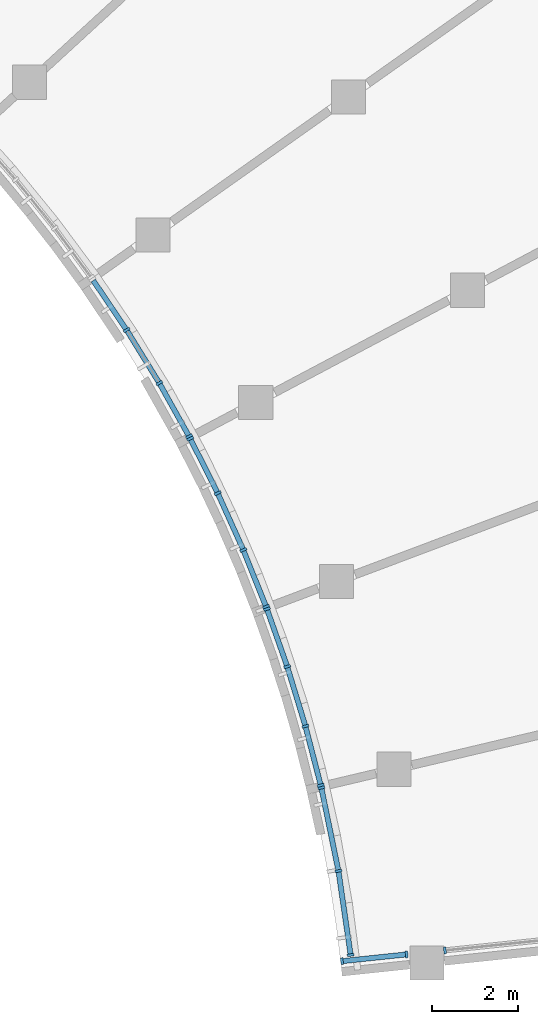
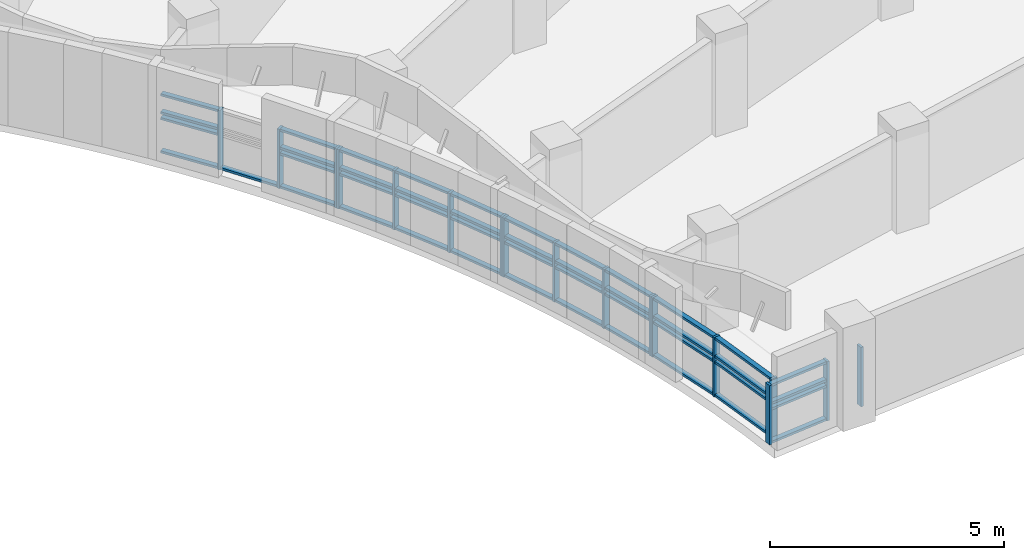
# One storey, part 6 of 89: 62 members, 6 elements without a shape of their own.
"""IFC4 building model written with IfcOpenShell, lengths in metres."""

from ifc_helpers import new_model, si_unit, direction, frame, origin, origin_2d, place, context, subcontext, project, spatial, rectangle, extrude, material, material_profile, profile_set, type_object, element, aggregate, save


model = new_model("IFC4")

# Units and contexts
model_context = context("Model", 3, precision=1e-05, world=origin(), true_north=direction((0.0, 1.0)))
body_context = subcontext(model_context, "Body", "Model", "MODEL_VIEW")
ifc_project = project(units=[si_unit("LENGTHUNIT", "METRE"), si_unit("AREAUNIT", "SQUARE_METRE"), si_unit("VOLUMEUNIT", "CUBIC_METRE"), si_unit("PLANEANGLEUNIT", "RADIAN"), si_unit("MASSUNIT", "GRAM", prefix="KILO")], contexts=[model_context])

# Site, building, storey
site_placement = place(None, origin())
site = spatial("IfcSite", under=ifc_project, at=site_placement, CompositionType="ELEMENT")
building_placement = place(site_placement, origin())
building = spatial("IfcBuilding", under=site, at=building_placement, Name="Bougainvillea Quay General Hospital", CompositionType="ELEMENT")
storey_placement = place(building_placement, frame((0.0, 0.0, 9.89990234375)))
storey = spatial("IfcBuildingStorey", under=building, at=storey_placement, Name="L01M", CompositionType="ELEMENT", Elevation=9.89990234375)

# Curtain wall, members
ifc_material_1 = material(Name="Aluminium curtain wall system, powder-coated glazed", Category="aluminium")
curtain_wall_type_1 = type_object("IfcCurtainWallType", Name="Unitised curtain wall CW-2100", PredefinedType="NOTDEFINED", material=ifc_material_1)
curtain_wall_1_placement = place(storey_placement, origin())
curtain_wall_1 = element("IfcCurtainWall", 1, at=curtain_wall_1_placement, inside=storey, type_object=curtain_wall_type_1, Name="CW-E05 a12b4", PredefinedType="NOTDEFINED")
ifc_material_2 = material(Name="Aluminium mullion, powder-coated charcoal", Category="aluminium")
ifc_material_profile_1 = material_profile(ifc_material_2, rectangle(XDim=0.159912109375, YDim=0.06005859375, at=origin_2d()))
ifc_profile_set_1 = profile_set([ifc_material_profile_1], Name="Aluminium mullion, powder-coated charcoal")
member_type_1 = type_object("IfcMemberType", Name="Curtain wall mullion 160x60", PredefinedType="MULLION", material=ifc_profile_set_1)
member_1_placement = place(storey_placement, frame((137.984619140625, 40.560791015625, 0.0), z_axis=(0.0, 0.0, 1.0), x_axis=(0.840427908607, 0.541923362141, 0.0)))
member_1 = element("IfcMember", 2, at=member_1_placement, type_object=member_type_1, Name="CW-E05 mullion 2", PredefinedType="MULLION", context=body_context, shape_type="SweptSolid", body=[
    extrude(rectangle(XDim=0.159912109375, YDim=0.06005859375, at=origin_2d()), origin(), (0.0, 0.0, 1.0), 1.550048828125),
])
member_2_placement = place(storey_placement, frame((138.747802734375, 39.31982421875, 0.0), z_axis=(0.0, 0.0, 1.0), x_axis=(0.862713792698, 0.50569250725, 0.0)))
member_2 = element("IfcMember", 3, at=member_2_placement, type_object=member_type_1, Name="CW-E05 mullion 3", PredefinedType="MULLION", context=body_context, shape_type="SweptSolid", body=[
    extrude(rectangle(XDim=0.159912109375, YDim=0.06005859375, at=origin_2d()), origin(), (0.0, 0.0, 1.0), 1.550048828125),
])
member_3_placement = place(storey_placement, frame((139.443115234375, 38.073974609375, 0.0), z_axis=(0.0, 0.0, 1.0), x_axis=(0.873273793396, 0.487229803858, 0.0)))
member_3 = element("IfcMember", 4, at=member_3_placement, type_object=member_type_1, Name="CW-E05 mullion 4", PredefinedType="MULLION", context=body_context, shape_type="SweptSolid", body=[
    extrude(rectangle(XDim=0.159912109375, YDim=0.06005859375, at=origin_2d()), origin(), (0.0, 0.0, 1.0), 1.550048828125),
])

curtain_wall_2_placement = place(storey_placement, origin())
curtain_wall_2 = element("IfcCurtainWall", 5, at=curtain_wall_2_placement, inside=storey, type_object=curtain_wall_type_1, Name="CW-E06 a12b5", PredefinedType="NOTDEFINED")
member_4_placement = place(storey_placement, frame((139.47119140625, 38.02099609375, 0.0), z_axis=(0.0, 0.0, 1.0), x_axis=(0.893204028362, 0.449651602597, 0.0)))
member_4 = element("IfcMember", 6, at=member_4_placement, type_object=member_type_1, Name="CW-E06 mullion 1", PredefinedType="MULLION", context=body_context, shape_type="SweptSolid", body=[
    extrude(rectangle(XDim=0.159912109375, YDim=0.06005859375, at=origin_2d()), origin(), (0.0, 0.0, 1.0), 1.550048828125),
])
member_5_placement = place(storey_placement, frame((140.11279296875, 36.746337890625, 0.0), z_axis=(0.0, 0.0, 1.0), x_axis=(0.902565246474, 0.430553104574, 0.0)))
member_5 = element("IfcMember", 7, at=member_5_placement, type_object=member_type_1, Name="CW-E06 mullion 2", PredefinedType="MULLION", context=body_context, shape_type="SweptSolid", body=[
    extrude(rectangle(XDim=0.159912109375, YDim=0.06005859375, at=origin_2d()), origin(), (0.0, 0.0, 1.0), 1.550048828125),
])
member_6_placement = place(storey_placement, frame((140.7119140625, 35.41845703125, 0.0), z_axis=(0.0, 0.0, 1.0), x_axis=(0.920058711526, 0.391780509145, 0.0)))
member_6 = element("IfcMember", 8, at=member_6_placement, type_object=member_type_1, Name="CW-E06 mullion 3", PredefinedType="MULLION", context=body_context, shape_type="SweptSolid", body=[
    extrude(rectangle(XDim=0.159912109375, YDim=0.06005859375, at=origin_2d()), origin(), (0.0, 0.0, 1.0), 1.550048828125),
])
member_7_placement = place(storey_placement, frame((141.242919921875, 34.093994140625, 0.0), z_axis=(0.0, 0.0, 1.0), x_axis=(0.92818304467, 0.372123951912, 0.0)))
member_7 = element("IfcMember", 9, at=member_7_placement, type_object=member_type_1, Name="CW-E06 mullion 4", PredefinedType="MULLION", context=body_context, shape_type="SweptSolid", body=[
    extrude(rectangle(XDim=0.159912109375, YDim=0.06005859375, at=origin_2d()), origin(), (0.0, 0.0, 1.0), 1.550048828125),
])

curtain_wall_3_placement = place(storey_placement, origin())
curtain_wall_3 = element("IfcCurtainWall", 10, at=curtain_wall_3_placement, inside=storey, type_object=curtain_wall_type_1, Name="CW-E07 a12b6", PredefinedType="NOTDEFINED")
member_8_placement = place(storey_placement, frame((141.26416015625, 34.037841796875, 0.0), z_axis=(0.0, 0.0, 1.0), x_axis=(0.943168537252, 0.332314775986, 0.0)))
member_8 = element("IfcMember", 11, at=member_8_placement, type_object=member_type_1, Name="CW-E07 mullion 1", PredefinedType="MULLION", context=body_context, shape_type="SweptSolid", body=[
    extrude(rectangle(XDim=0.159912109375, YDim=0.06005859375, at=origin_2d()), origin(), (0.0, 0.0, 1.0), 1.550048828125),
])
member_9_placement = place(storey_placement, frame((141.73828125, 32.692138671875, 0.0), z_axis=(0.0, 0.0, 1.0), x_axis=(0.950022917464, 0.3121801664, 0.0)))
member_9 = element("IfcMember", 12, at=member_9_placement, type_object=member_type_1, Name="CW-E07 mullion 2", PredefinedType="MULLION", context=body_context, shape_type="SweptSolid", body=[
    extrude(rectangle(XDim=0.159912109375, YDim=0.06005859375, at=origin_2d()), origin(), (0.0, 0.0, 1.0), 1.550048828125),
])
member_10_placement = place(storey_placement, frame((142.16357421875, 31.298828125, 0.0), z_axis=(0.0, 0.0, 1.0), x_axis=(0.962439443061, 0.271496442776, 0.0)))
member_10 = element("IfcMember", 13, at=member_10_placement, type_object=member_type_1, Name="CW-E07 mullion 3", PredefinedType="MULLION", context=body_context, shape_type="SweptSolid", body=[
    extrude(rectangle(XDim=0.159912109375, YDim=0.06005859375, at=origin_2d()), origin(), (0.0, 0.0, 1.0), 1.550048828125),
])
member_11_placement = place(storey_placement, frame((142.521484375, 29.91748046875, 0.0), z_axis=(0.0, 0.0, 1.0), x_axis=(0.967995971386, 0.250965733479, 0.0)))
member_11 = element("IfcMember", 14, at=member_11_placement, type_object=member_type_1, Name="CW-E07 mullion 4", PredefinedType="MULLION", context=body_context, shape_type="SweptSolid", body=[
    extrude(rectangle(XDim=0.159912109375, YDim=0.06005859375, at=origin_2d()), origin(), (0.0, 0.0, 1.0), 1.550048828125),
])

curtain_wall_4_placement = place(storey_placement, origin())
curtain_wall_4 = element("IfcCurtainWall", 15, at=curtain_wall_4_placement, inside=storey, type_object=curtain_wall_type_1, Name="CW-E08 a12b7", PredefinedType="NOTDEFINED")
member_12_placement = place(storey_placement, frame((142.53515625, 29.859130859375, 0.0), z_axis=(0.0, 0.0, 1.0), x_axis=(0.979468979674, 0.201594935096, 0.0)))
member_12 = element("IfcMember", 16, at=member_12_placement, type_object=member_type_1, Name="CW-E08 mullion 1", PredefinedType="MULLION", context=body_context, shape_type="SweptSolid", body=[
    extrude(rectangle(XDim=0.159912109375, YDim=0.06005859375, at=origin_2d()), origin(), (0.0, 0.0, 1.0), 1.550048828125),
])
member_13_placement = place(storey_placement, frame((142.935302734375, 27.914794921875, 0.0), z_axis=(0.0, 0.0, 1.0), x_axis=(0.984975544783, 0.172693879972, 0.0)))
member_13 = element("IfcMember", 17, at=member_13_placement, type_object=member_type_1, Name="CW-E08 mullion 2", PredefinedType="MULLION", context=body_context, shape_type="SweptSolid", body=[
    extrude(rectangle(XDim=0.159912109375, YDim=0.06005859375, at=origin_2d()), origin(), (0.0, 0.0, 1.0), 1.550048828125),
])
member_14_placement = place(storey_placement, frame((143.220458984375, 25.9501953125, 0.0), z_axis=(0.0, 0.0, 1.0), x_axis=(0.989629521715, 0.143643342173, 0.0)))
member_14 = element("IfcMember", 18, at=member_14_placement, type_object=member_type_1, Name="CW-E08 mullion 3", PredefinedType="MULLION", context=body_context, shape_type="SweptSolid", body=[
    extrude(rectangle(XDim=0.159912109375, YDim=0.06005859375, at=origin_2d()), origin(), (0.0, 0.0, 1.0), 1.550048828125),
])

curtain_wall_type_2 = type_object("IfcCurtainWallType", Name="Unitised curtain wall CW-1581", PredefinedType="NOTDEFINED", material=ifc_material_1)
curtain_wall_5_placement = place(storey_placement, origin())
curtain_wall_5 = element("IfcCurtainWall", 19, at=curtain_wall_5_placement, inside=storey, type_object=curtain_wall_type_2, Name="CW-AE 00", PredefinedType="NOTDEFINED")
member_15_placement = place(storey_placement, frame((143.017822265625, 25.8056640625, 0.0), z_axis=(0.0, 0.0, 1.0), x_axis=(-0.104527173765, 0.9945220309, 0.0)))
member_15 = element("IfcMember", 20, at=member_15_placement, type_object=member_type_1, Name="CW-AE mullion 1", PredefinedType="MULLION", context=body_context, shape_type="SweptSolid", body=[
    extrude(rectangle(XDim=0.159912109375, YDim=0.06005859375, at=origin_2d()), origin(), (0.0, 0.0, 1.0), 1.550048828125),
])
member_16_placement = place(storey_placement, frame((144.529541015625, 25.964599609375, 0.0), z_axis=(0.0, 0.0, 1.0), x_axis=(-0.104527173765, 0.9945220309, 0.0)))
member_16 = element("IfcMember", 21, at=member_16_placement, type_object=member_type_1, Name="CW-AE mullion 2", PredefinedType="MULLION", context=body_context, shape_type="SweptSolid", body=[
    extrude(rectangle(XDim=0.159912109375, YDim=0.06005859375, at=origin_2d()), origin(), (0.0, 0.0, 1.0), 1.550048828125),
])

# Curtain wall, member
curtain_wall_type_3 = type_object("IfcCurtainWallType", Name="Unitised curtain wall CW-2380", PredefinedType="NOTDEFINED", material=ifc_material_1)
curtain_wall_6_placement = place(storey_placement, origin())
curtain_wall_6 = element("IfcCurtainWall", 22, at=curtain_wall_6_placement, inside=storey, type_object=curtain_wall_type_3, Name="CW-AE 01", PredefinedType="NOTDEFINED")
member_17_placement = place(storey_placement, frame((145.4248046875, 26.058837890625, 0.0), z_axis=(0.0, 0.0, 1.0), x_axis=(-0.104527173765, 0.9945220309, 0.0)))
member_17 = element("IfcMember", 23, at=member_17_placement, type_object=member_type_1, Name="CW-AE mullion 1", PredefinedType="MULLION", context=body_context, shape_type="SweptSolid", body=[
    extrude(rectangle(XDim=0.159912109375, YDim=0.06005859375, at=origin_2d()), origin(), (0.0, 0.0, 1.0), 1.550048828125),
])
aggregate(curtain_wall_6, [member_17])

# Member
ifc_material_3 = material(Name="Aluminium transom, powder-coated charcoal", Category="aluminium")
ifc_material_profile_2 = material_profile(ifc_material_3, rectangle(XDim=0.1201171875, YDim=0.06005859375, at=origin_2d()))
ifc_profile_set_2 = profile_set([ifc_material_profile_2], Name="Aluminium transom, powder-coated charcoal")
member_type_2 = type_object("IfcMemberType", Name="Curtain wall transom 120x60", PredefinedType="USERDEFINED", material=ifc_profile_set_2)
member_18_placement = place(storey_placement, frame((137.202880859375, 41.718505859375, 0.030029296875), z_axis=(0.559595554462, -0.828765838718, 0.0), x_axis=(0.828765838718, 0.559595554462, 0.0)))
member_18 = element("IfcMember", 24, at=member_18_placement, type_object=member_type_2, Name="CW-E05 transom 1.1", ObjectType="TRANSOM", PredefinedType="USERDEFINED", context=body_context, shape_type="SweptSolid", body=[
    extrude(rectangle(XDim=0.1201171875, YDim=0.06005859375, at=origin_2d()), origin(), (0.0, 0.0, 1.0), 1.366943359375),
])

member_19_placement = place(storey_placement, frame((137.202880859375, 41.718505859375, 0.900146484375), z_axis=(0.559595554462, -0.828765838718, 0.0), x_axis=(0.828765838718, 0.559595554462, 0.0)))
member_19 = element("IfcMember", 25, at=member_19_placement, type_object=member_type_2, Name="CW-E05 transom 1.2", ObjectType="TRANSOM", PredefinedType="USERDEFINED", context=body_context, shape_type="SweptSolid", body=[
    extrude(rectangle(XDim=0.1201171875, YDim=0.06005859375, at=origin_2d()), origin(), (0.0, 0.0, 1.0), 1.366943359375),
])

member_20_placement = place(storey_placement, frame((137.202880859375, 41.718505859375, 1.050048828125), z_axis=(0.559595554462, -0.828765838718, 0.0), x_axis=(0.828765838718, 0.559595554462, 0.0)))
member_20 = element("IfcMember", 26, at=member_20_placement, type_object=member_type_2, Name="CW-E05 transom 1.3", ObjectType="TRANSOM", PredefinedType="USERDEFINED", context=body_context, shape_type="SweptSolid", body=[
    extrude(rectangle(XDim=0.1201171875, YDim=0.06005859375, at=origin_2d()), origin(), (0.0, 0.0, 1.0), 1.366943359375),
])

member_21_placement = place(storey_placement, frame((137.202880859375, 41.718505859375, 1.52001953125), z_axis=(0.559595554462, -0.828765838718, 0.0), x_axis=(0.828765838718, 0.559595554462, 0.0)))
member_21 = element("IfcMember", 27, at=member_21_placement, type_object=member_type_2, Name="CW-E05 transom 1.4", ObjectType="TRANSOM", PredefinedType="USERDEFINED", context=body_context, shape_type="SweptSolid", body=[
    extrude(rectangle(XDim=0.1201171875, YDim=0.06005859375, at=origin_2d()), origin(), (0.0, 0.0, 1.0), 1.366943359375),
])

member_22_placement = place(storey_placement, frame((138.000244140625, 40.535400390625, 0.030029296875), z_axis=(0.523921907365, -0.851766303034, 0.0), x_axis=(0.851766303034, 0.523921907365, 0.0)))
member_22 = element("IfcMember", 28, at=member_22_placement, type_object=member_type_2, Name="CW-E05 transom 2.1", ObjectType="TRANSOM", PredefinedType="USERDEFINED", context=body_context, shape_type="SweptSolid", body=[
    extrude(rectangle(XDim=0.1201171875, YDim=0.06005859375, at=origin_2d()), origin(), (0.0, 0.0, 1.0), 1.39697265625),
])

member_23_placement = place(storey_placement, frame((138.762451171875, 39.293701171875, 0.030029296875), z_axis=(0.487264805137, -0.873254264046, 0.0), x_axis=(0.873254264046, 0.487264805137, 0.0)))
member_23 = element("IfcMember", 29, at=member_23_placement, type_object=member_type_2, Name="CW-E05 transom 3.1", ObjectType="TRANSOM", PredefinedType="USERDEFINED", context=body_context, shape_type="SweptSolid", body=[
    extrude(rectangle(XDim=0.1201171875, YDim=0.06005859375, at=origin_2d()), origin(), (0.0, 0.0, 1.0), 1.366943359375),
])

member_24_placement = place(storey_placement, frame((138.762451171875, 39.293701171875, 0.900146484375), z_axis=(0.487264805137, -0.873254264046, 0.0), x_axis=(0.873254264046, 0.487264805137, 0.0)))
member_24 = element("IfcMember", 30, at=member_24_placement, type_object=member_type_2, Name="CW-E05 transom 3.2", ObjectType="TRANSOM", PredefinedType="USERDEFINED", context=body_context, shape_type="SweptSolid", body=[
    extrude(rectangle(XDim=0.1201171875, YDim=0.06005859375, at=origin_2d()), origin(), (0.0, 0.0, 1.0), 1.366943359375),
])

member_25_placement = place(storey_placement, frame((138.762451171875, 39.293701171875, 1.050048828125), z_axis=(0.487264805137, -0.873254264046, 0.0), x_axis=(0.873254264046, 0.487264805137, 0.0)))
member_25 = element("IfcMember", 31, at=member_25_placement, type_object=member_type_2, Name="CW-E05 transom 3.3", ObjectType="TRANSOM", PredefinedType="USERDEFINED", context=body_context, shape_type="SweptSolid", body=[
    extrude(rectangle(XDim=0.1201171875, YDim=0.06005859375, at=origin_2d()), origin(), (0.0, 0.0, 1.0), 1.366943359375),
])

member_26_placement = place(storey_placement, frame((138.762451171875, 39.293701171875, 1.52001953125), z_axis=(0.487264805137, -0.873254264046, 0.0), x_axis=(0.873254264046, 0.487264805137, 0.0)))
member_26 = element("IfcMember", 32, at=member_26_placement, type_object=member_type_2, Name="CW-E05 transom 3.4", ObjectType="TRANSOM", PredefinedType="USERDEFINED", context=body_context, shape_type="SweptSolid", body=[
    extrude(rectangle(XDim=0.1201171875, YDim=0.06005859375, at=origin_2d()), origin(), (0.0, 0.0, 1.0), 1.366943359375),
])

aggregate(curtain_wall_1, [member_1, member_2, member_3, member_18, member_19, member_20, member_21, member_22, member_23, member_24, member_25, member_26])

member_27_placement = place(storey_placement, frame((139.484619140625, 37.994140625, 0.030029296875), z_axis=(0.449712233761, -0.893173503193, 0.0), x_axis=(0.893173503193, 0.449712233761, 0.0)))
member_27 = element("IfcMember", 33, at=member_27_placement, type_object=member_type_2, Name="CW-E06 transom 1.1", ObjectType="TRANSOM", PredefinedType="USERDEFINED", context=body_context, shape_type="SweptSolid", body=[
    extrude(rectangle(XDim=0.1201171875, YDim=0.06005859375, at=origin_2d()), origin(), (0.0, 0.0, 1.0), 1.366943359375),
])

member_28_placement = place(storey_placement, frame((139.484619140625, 37.994140625, 0.900146484375), z_axis=(0.449712233761, -0.893173503193, 0.0), x_axis=(0.893173503193, 0.449712233761, 0.0)))
member_28 = element("IfcMember", 34, at=member_28_placement, type_object=member_type_2, Name="CW-E06 transom 1.2", ObjectType="TRANSOM", PredefinedType="USERDEFINED", context=body_context, shape_type="SweptSolid", body=[
    extrude(rectangle(XDim=0.1201171875, YDim=0.06005859375, at=origin_2d()), origin(), (0.0, 0.0, 1.0), 1.366943359375),
])

member_29_placement = place(storey_placement, frame((139.484619140625, 37.994140625, 1.050048828125), z_axis=(0.449712233761, -0.893173503193, 0.0), x_axis=(0.893173503193, 0.449712233761, 0.0)))
member_29 = element("IfcMember", 35, at=member_29_placement, type_object=member_type_2, Name="CW-E06 transom 1.3", ObjectType="TRANSOM", PredefinedType="USERDEFINED", context=body_context, shape_type="SweptSolid", body=[
    extrude(rectangle(XDim=0.1201171875, YDim=0.06005859375, at=origin_2d()), origin(), (0.0, 0.0, 1.0), 1.366943359375),
])

member_30_placement = place(storey_placement, frame((139.484619140625, 37.994140625, 1.52001953125), z_axis=(0.449712233761, -0.893173503193, 0.0), x_axis=(0.893173503193, 0.449712233761, 0.0)))
member_30 = element("IfcMember", 36, at=member_30_placement, type_object=member_type_2, Name="CW-E06 transom 1.4", ObjectType="TRANSOM", PredefinedType="USERDEFINED", context=body_context, shape_type="SweptSolid", body=[
    extrude(rectangle(XDim=0.1201171875, YDim=0.06005859375, at=origin_2d()), origin(), (0.0, 0.0, 1.0), 1.366943359375),
])

member_31_placement = place(storey_placement, frame((140.125244140625, 36.718994140625, 0.030029296875), z_axis=(0.411272928094, -0.911512248199, 0.0), x_axis=(0.911512248199, 0.411272928094, 0.0)))
member_31 = element("IfcMember", 37, at=member_31_placement, type_object=member_type_2, Name="CW-E06 transom 2.1", ObjectType="TRANSOM", PredefinedType="USERDEFINED", context=body_context, shape_type="SweptSolid", body=[
    extrude(rectangle(XDim=0.1201171875, YDim=0.06005859375, at=origin_2d()), origin(), (0.0, 0.0, 1.0), 1.396728515625),
])

member_32_placement = place(storey_placement, frame((140.125244140625, 36.718994140625, 0.900146484375), z_axis=(0.411272928094, -0.911512248199, 0.0), x_axis=(0.911512248199, 0.411272928094, 0.0)))
member_32 = element("IfcMember", 38, at=member_32_placement, type_object=member_type_2, Name="CW-E06 transom 2.2", ObjectType="TRANSOM", PredefinedType="USERDEFINED", context=body_context, shape_type="SweptSolid", body=[
    extrude(rectangle(XDim=0.1201171875, YDim=0.06005859375, at=origin_2d()), origin(), (0.0, 0.0, 1.0), 1.396728515625),
])

member_33_placement = place(storey_placement, frame((140.125244140625, 36.718994140625, 1.050048828125), z_axis=(0.411272928094, -0.911512248199, 0.0), x_axis=(0.911512248199, 0.411272928094, 0.0)))
member_33 = element("IfcMember", 39, at=member_33_placement, type_object=member_type_2, Name="CW-E06 transom 2.3", ObjectType="TRANSOM", PredefinedType="USERDEFINED", context=body_context, shape_type="SweptSolid", body=[
    extrude(rectangle(XDim=0.1201171875, YDim=0.06005859375, at=origin_2d()), origin(), (0.0, 0.0, 1.0), 1.396728515625),
])

member_34_placement = place(storey_placement, frame((140.125244140625, 36.718994140625, 1.52001953125), z_axis=(0.411272928094, -0.911512248199, 0.0), x_axis=(0.911512248199, 0.411272928094, 0.0)))
member_34 = element("IfcMember", 40, at=member_34_placement, type_object=member_type_2, Name="CW-E06 transom 2.4", ObjectType="TRANSOM", PredefinedType="USERDEFINED", context=body_context, shape_type="SweptSolid", body=[
    extrude(rectangle(XDim=0.1201171875, YDim=0.06005859375, at=origin_2d()), origin(), (0.0, 0.0, 1.0), 1.396728515625),
])

member_35_placement = place(storey_placement, frame((140.72314453125, 35.390625, 0.030029296875), z_axis=(0.37203726485, -0.92821779425, 0.0), x_axis=(0.92821779425, 0.37203726485, 0.0)))
member_35 = element("IfcMember", 41, at=member_35_placement, type_object=member_type_2, Name="CW-E06 transom 3.1", ObjectType="TRANSOM", PredefinedType="USERDEFINED", context=body_context, shape_type="SweptSolid", body=[
    extrude(rectangle(XDim=0.1201171875, YDim=0.06005859375, at=origin_2d()), origin(), (0.0, 0.0, 1.0), 1.366943359375),
])

member_36_placement = place(storey_placement, frame((140.72314453125, 35.390625, 0.900146484375), z_axis=(0.37203726485, -0.92821779425, 0.0), x_axis=(0.92821779425, 0.37203726485, 0.0)))
member_36 = element("IfcMember", 42, at=member_36_placement, type_object=member_type_2, Name="CW-E06 transom 3.2", ObjectType="TRANSOM", PredefinedType="USERDEFINED", context=body_context, shape_type="SweptSolid", body=[
    extrude(rectangle(XDim=0.1201171875, YDim=0.06005859375, at=origin_2d()), origin(), (0.0, 0.0, 1.0), 1.366943359375),
])

member_37_placement = place(storey_placement, frame((140.72314453125, 35.390625, 1.050048828125), z_axis=(0.37203726485, -0.92821779425, 0.0), x_axis=(0.92821779425, 0.37203726485, 0.0)))
member_37 = element("IfcMember", 43, at=member_37_placement, type_object=member_type_2, Name="CW-E06 transom 3.3", ObjectType="TRANSOM", PredefinedType="USERDEFINED", context=body_context, shape_type="SweptSolid", body=[
    extrude(rectangle(XDim=0.1201171875, YDim=0.06005859375, at=origin_2d()), origin(), (0.0, 0.0, 1.0), 1.366943359375),
])

member_38_placement = place(storey_placement, frame((140.72314453125, 35.390625, 1.52001953125), z_axis=(0.37203726485, -0.92821779425, 0.0), x_axis=(0.92821779425, 0.37203726485, 0.0)))
member_38 = element("IfcMember", 44, at=member_38_placement, type_object=member_type_2, Name="CW-E06 transom 3.4", ObjectType="TRANSOM", PredefinedType="USERDEFINED", context=body_context, shape_type="SweptSolid", body=[
    extrude(rectangle(XDim=0.1201171875, YDim=0.06005859375, at=origin_2d()), origin(), (0.0, 0.0, 1.0), 1.366943359375),
])

aggregate(curtain_wall_2, [member_4, member_5, member_6, member_7, member_27, member_28, member_29, member_30, member_31, member_32, member_33, member_34, member_35, member_36, member_37, member_38])

member_39_placement = place(storey_placement, frame((141.27392578125, 34.009521484375, 0.030029296875), z_axis=(0.332418322069, -0.943132047569, 0.0), x_axis=(0.943132047569, 0.332418322069, 0.0)))
member_39 = element("IfcMember", 45, at=member_39_placement, type_object=member_type_2, Name="CW-E07 transom 1.1", ObjectType="TRANSOM", PredefinedType="USERDEFINED", context=body_context, shape_type="SweptSolid", body=[
    extrude(rectangle(XDim=0.1201171875, YDim=0.06005859375, at=origin_2d()), origin(), (0.0, 0.0, 1.0), 1.36669921875),
])

member_40_placement = place(storey_placement, frame((141.27392578125, 34.009521484375, 0.900146484375), z_axis=(0.332418322069, -0.943132047569, 0.0), x_axis=(0.943132047569, 0.332418322069, 0.0)))
member_40 = element("IfcMember", 46, at=member_40_placement, type_object=member_type_2, Name="CW-E07 transom 1.2", ObjectType="TRANSOM", PredefinedType="USERDEFINED", context=body_context, shape_type="SweptSolid", body=[
    extrude(rectangle(XDim=0.1201171875, YDim=0.06005859375, at=origin_2d()), origin(), (0.0, 0.0, 1.0), 1.36669921875),
])

member_41_placement = place(storey_placement, frame((141.27392578125, 34.009521484375, 1.050048828125), z_axis=(0.332418322069, -0.943132047569, 0.0), x_axis=(0.943132047569, 0.332418322069, 0.0)))
member_41 = element("IfcMember", 47, at=member_41_placement, type_object=member_type_2, Name="CW-E07 transom 1.3", ObjectType="TRANSOM", PredefinedType="USERDEFINED", context=body_context, shape_type="SweptSolid", body=[
    extrude(rectangle(XDim=0.1201171875, YDim=0.06005859375, at=origin_2d()), origin(), (0.0, 0.0, 1.0), 1.36669921875),
])

member_42_placement = place(storey_placement, frame((141.27392578125, 34.009521484375, 1.52001953125), z_axis=(0.332418322069, -0.943132047569, 0.0), x_axis=(0.943132047569, 0.332418322069, 0.0)))
member_42 = element("IfcMember", 48, at=member_42_placement, type_object=member_type_2, Name="CW-E07 transom 1.4", ObjectType="TRANSOM", PredefinedType="USERDEFINED", context=body_context, shape_type="SweptSolid", body=[
    extrude(rectangle(XDim=0.1201171875, YDim=0.06005859375, at=origin_2d()), origin(), (0.0, 0.0, 1.0), 1.36669921875),
])

member_43_placement = place(storey_placement, frame((141.7470703125, 32.66357421875, 0.030029296875), z_axis=(0.291849999923, -0.956464101545, 0.0), x_axis=(0.956464101545, 0.291849999923, 0.0)))
member_43 = element("IfcMember", 49, at=member_43_placement, type_object=member_type_2, Name="CW-E07 transom 2.1", ObjectType="TRANSOM", PredefinedType="USERDEFINED", context=body_context, shape_type="SweptSolid", body=[
    extrude(rectangle(XDim=0.1201171875, YDim=0.06005859375, at=origin_2d()), origin(), (0.0, 0.0, 1.0), 1.39697265625),
])

member_44_placement = place(storey_placement, frame((141.7470703125, 32.66357421875, 0.900146484375), z_axis=(0.291849999923, -0.956464101545, 0.0), x_axis=(0.956464101545, 0.291849999923, 0.0)))
member_44 = element("IfcMember", 50, at=member_44_placement, type_object=member_type_2, Name="CW-E07 transom 2.2", ObjectType="TRANSOM", PredefinedType="USERDEFINED", context=body_context, shape_type="SweptSolid", body=[
    extrude(rectangle(XDim=0.1201171875, YDim=0.06005859375, at=origin_2d()), origin(), (0.0, 0.0, 1.0), 1.39697265625),
])

member_45_placement = place(storey_placement, frame((141.7470703125, 32.66357421875, 1.050048828125), z_axis=(0.291849999923, -0.956464101545, 0.0), x_axis=(0.956464101545, 0.291849999923, 0.0)))
member_45 = element("IfcMember", 51, at=member_45_placement, type_object=member_type_2, Name="CW-E07 transom 2.3", ObjectType="TRANSOM", PredefinedType="USERDEFINED", context=body_context, shape_type="SweptSolid", body=[
    extrude(rectangle(XDim=0.1201171875, YDim=0.06005859375, at=origin_2d()), origin(), (0.0, 0.0, 1.0), 1.39697265625),
])

member_46_placement = place(storey_placement, frame((141.7470703125, 32.66357421875, 1.52001953125), z_axis=(0.291849999923, -0.956464101545, 0.0), x_axis=(0.956464101545, 0.291849999923, 0.0)))
member_46 = element("IfcMember", 52, at=member_46_placement, type_object=member_type_2, Name="CW-E07 transom 2.4", ObjectType="TRANSOM", PredefinedType="USERDEFINED", context=body_context, shape_type="SweptSolid", body=[
    extrude(rectangle(XDim=0.1201171875, YDim=0.06005859375, at=origin_2d()), origin(), (0.0, 0.0, 1.0), 1.39697265625),
])

member_47_placement = place(storey_placement, frame((142.1708984375, 31.269775390625, 0.030029296875), z_axis=(0.251098509597, -0.967961537706, 0.0), x_axis=(0.967961537706, 0.251098509597, 0.0)))
member_47 = element("IfcMember", 53, at=member_47_placement, type_object=member_type_2, Name="CW-E07 transom 3.1", ObjectType="TRANSOM", PredefinedType="USERDEFINED", context=body_context, shape_type="SweptSolid", body=[
    extrude(rectangle(XDim=0.1201171875, YDim=0.06005859375, at=origin_2d()), origin(), (0.0, 0.0, 1.0), 1.366943359375),
])

member_48_placement = place(storey_placement, frame((142.1708984375, 31.269775390625, 0.900146484375), z_axis=(0.251098509597, -0.967961537706, 0.0), x_axis=(0.967961537706, 0.251098509597, 0.0)))
member_48 = element("IfcMember", 54, at=member_48_placement, type_object=member_type_2, Name="CW-E07 transom 3.2", ObjectType="TRANSOM", PredefinedType="USERDEFINED", context=body_context, shape_type="SweptSolid", body=[
    extrude(rectangle(XDim=0.1201171875, YDim=0.06005859375, at=origin_2d()), origin(), (0.0, 0.0, 1.0), 1.366943359375),
])

member_49_placement = place(storey_placement, frame((142.1708984375, 31.269775390625, 1.050048828125), z_axis=(0.251098509597, -0.967961537706, 0.0), x_axis=(0.967961537706, 0.251098509597, 0.0)))
member_49 = element("IfcMember", 55, at=member_49_placement, type_object=member_type_2, Name="CW-E07 transom 3.3", ObjectType="TRANSOM", PredefinedType="USERDEFINED", context=body_context, shape_type="SweptSolid", body=[
    extrude(rectangle(XDim=0.1201171875, YDim=0.06005859375, at=origin_2d()), origin(), (0.0, 0.0, 1.0), 1.366943359375),
])

member_50_placement = place(storey_placement, frame((142.1708984375, 31.269775390625, 1.52001953125), z_axis=(0.251098509597, -0.967961537706, 0.0), x_axis=(0.967961537706, 0.251098509597, 0.0)))
member_50 = element("IfcMember", 56, at=member_50_placement, type_object=member_type_2, Name="CW-E07 transom 3.4", ObjectType="TRANSOM", PredefinedType="USERDEFINED", context=body_context, shape_type="SweptSolid", body=[
    extrude(rectangle(XDim=0.1201171875, YDim=0.06005859375, at=origin_2d()), origin(), (0.0, 0.0, 1.0), 1.366943359375),
])

aggregate(curtain_wall_3, [member_8, member_9, member_10, member_11, member_39, member_40, member_41, member_42, member_43, member_44, member_45, member_46, member_47, member_48, member_49, member_50])

member_51_placement = place(storey_placement, frame((142.541259765625, 29.829833984375, 0.030029296875), z_axis=(0.201502639399, -0.979487971501, 0.0), x_axis=(0.979487971501, 0.201502639399, 0.0)))
member_51 = element("IfcMember", 57, at=member_51_placement, type_object=member_type_2, Name="CW-E08 transom 1.1", ObjectType="TRANSOM", PredefinedType="USERDEFINED", context=body_context, shape_type="SweptSolid", body=[
    extrude(rectangle(XDim=0.1201171875, YDim=0.06005859375, at=origin_2d()), origin(), (0.0, 0.0, 1.0), 1.92529296875),
])

member_52_placement = place(storey_placement, frame((142.541259765625, 29.829833984375, 0.900146484375), z_axis=(0.201502639399, -0.979487971501, 0.0), x_axis=(0.979487971501, 0.201502639399, 0.0)))
member_52 = element("IfcMember", 58, at=member_52_placement, type_object=member_type_2, Name="CW-E08 transom 1.2", ObjectType="TRANSOM", PredefinedType="USERDEFINED", context=body_context, shape_type="SweptSolid", body=[
    extrude(rectangle(XDim=0.1201171875, YDim=0.06005859375, at=origin_2d()), origin(), (0.0, 0.0, 1.0), 1.92529296875),
])

member_53_placement = place(storey_placement, frame((142.541259765625, 29.829833984375, 1.050048828125), z_axis=(0.201502639399, -0.979487971501, 0.0), x_axis=(0.979487971501, 0.201502639399, 0.0)))
member_53 = element("IfcMember", 59, at=member_53_placement, type_object=member_type_2, Name="CW-E08 transom 1.3", ObjectType="TRANSOM", PredefinedType="USERDEFINED", context=body_context, shape_type="SweptSolid", body=[
    extrude(rectangle(XDim=0.1201171875, YDim=0.06005859375, at=origin_2d()), origin(), (0.0, 0.0, 1.0), 1.92529296875),
])

member_54_placement = place(storey_placement, frame((142.541259765625, 29.829833984375, 1.52001953125), z_axis=(0.201502639399, -0.979487971501, 0.0), x_axis=(0.979487971501, 0.201502639399, 0.0)))
member_54 = element("IfcMember", 60, at=member_54_placement, type_object=member_type_2, Name="CW-E08 transom 1.4", ObjectType="TRANSOM", PredefinedType="USERDEFINED", context=body_context, shape_type="SweptSolid", body=[
    extrude(rectangle(XDim=0.1201171875, YDim=0.06005859375, at=origin_2d()), origin(), (0.0, 0.0, 1.0), 1.92529296875),
])

member_55_placement = place(storey_placement, frame((142.939697265625, 27.885009765625, 0.030029296875), z_axis=(0.143569492441, -0.989640238087, 0.0), x_axis=(0.989640238087, 0.143569492441, 0.0)))
member_55 = element("IfcMember", 61, at=member_55_placement, type_object=member_type_2, Name="CW-E08 transom 2.1", ObjectType="TRANSOM", PredefinedType="USERDEFINED", context=body_context, shape_type="SweptSolid", body=[
    extrude(rectangle(XDim=0.1201171875, YDim=0.06005859375, at=origin_2d()), origin(), (0.0, 0.0, 1.0), 1.925048828125),
])

member_56_placement = place(storey_placement, frame((142.939697265625, 27.885009765625, 0.900146484375), z_axis=(0.143569492441, -0.989640238087, 0.0), x_axis=(0.989640238087, 0.143569492441, 0.0)))
member_56 = element("IfcMember", 62, at=member_56_placement, type_object=member_type_2, Name="CW-E08 transom 2.2", ObjectType="TRANSOM", PredefinedType="USERDEFINED", context=body_context, shape_type="SweptSolid", body=[
    extrude(rectangle(XDim=0.1201171875, YDim=0.06005859375, at=origin_2d()), origin(), (0.0, 0.0, 1.0), 1.925048828125),
])

member_57_placement = place(storey_placement, frame((142.939697265625, 27.885009765625, 1.050048828125), z_axis=(0.143569492441, -0.989640238087, 0.0), x_axis=(0.989640238087, 0.143569492441, 0.0)))
member_57 = element("IfcMember", 63, at=member_57_placement, type_object=member_type_2, Name="CW-E08 transom 2.3", ObjectType="TRANSOM", PredefinedType="USERDEFINED", context=body_context, shape_type="SweptSolid", body=[
    extrude(rectangle(XDim=0.1201171875, YDim=0.06005859375, at=origin_2d()), origin(), (0.0, 0.0, 1.0), 1.925048828125),
])

member_58_placement = place(storey_placement, frame((142.939697265625, 27.885009765625, 1.52001953125), z_axis=(0.143569492441, -0.989640238087, 0.0), x_axis=(0.989640238087, 0.143569492441, 0.0)))
member_58 = element("IfcMember", 64, at=member_58_placement, type_object=member_type_2, Name="CW-E08 transom 2.4", ObjectType="TRANSOM", PredefinedType="USERDEFINED", context=body_context, shape_type="SweptSolid", body=[
    extrude(rectangle(XDim=0.1201171875, YDim=0.06005859375, at=origin_2d()), origin(), (0.0, 0.0, 1.0), 1.925048828125),
])

aggregate(curtain_wall_4, [member_12, member_13, member_14, member_51, member_52, member_53, member_54, member_55, member_56, member_57, member_58])

member_59_placement = place(storey_placement, frame((143.047607421875, 25.808837890625, 0.030029296875), z_axis=(0.994524675946, 0.10450200445, 0.0), x_axis=(-0.10450200445, 0.994524675946, 0.0)))
member_59 = element("IfcMember", 65, at=member_59_placement, type_object=member_type_2, Name="CW-AE transom 1.1", ObjectType="TRANSOM", PredefinedType="USERDEFINED", context=body_context, shape_type="SweptSolid", body=[
    extrude(rectangle(XDim=0.1201171875, YDim=0.06005859375, at=origin_2d()), origin(), (0.0, 0.0, 1.0), 1.460205078125),
])

member_60_placement = place(storey_placement, frame((143.047607421875, 25.808837890625, 0.900146484375), z_axis=(0.994524675946, 0.10450200445, 0.0), x_axis=(-0.10450200445, 0.994524675946, 0.0)))
member_60 = element("IfcMember", 66, at=member_60_placement, type_object=member_type_2, Name="CW-AE transom 1.2", ObjectType="TRANSOM", PredefinedType="USERDEFINED", context=body_context, shape_type="SweptSolid", body=[
    extrude(rectangle(XDim=0.1201171875, YDim=0.06005859375, at=origin_2d()), origin(), (0.0, 0.0, 1.0), 1.460205078125),
])

member_61_placement = place(storey_placement, frame((143.047607421875, 25.808837890625, 1.050048828125), z_axis=(0.994524675946, 0.10450200445, 0.0), x_axis=(-0.10450200445, 0.994524675946, 0.0)))
member_61 = element("IfcMember", 67, at=member_61_placement, type_object=member_type_2, Name="CW-AE transom 1.3", ObjectType="TRANSOM", PredefinedType="USERDEFINED", context=body_context, shape_type="SweptSolid", body=[
    extrude(rectangle(XDim=0.1201171875, YDim=0.06005859375, at=origin_2d()), origin(), (0.0, 0.0, 1.0), 1.460205078125),
])

member_62_placement = place(storey_placement, frame((143.047607421875, 25.808837890625, 1.52001953125), z_axis=(0.994524675946, 0.10450200445, 0.0), x_axis=(-0.10450200445, 0.994524675946, 0.0)))
member_62 = element("IfcMember", 68, at=member_62_placement, type_object=member_type_2, Name="CW-AE transom 1.4", ObjectType="TRANSOM", PredefinedType="USERDEFINED", context=body_context, shape_type="SweptSolid", body=[
    extrude(rectangle(XDim=0.1201171875, YDim=0.06005859375, at=origin_2d()), origin(), (0.0, 0.0, 1.0), 1.460205078125),
])

aggregate(curtain_wall_5, [member_15, member_16, member_59, member_60, member_61, member_62])

save(model, "model.ifc")
